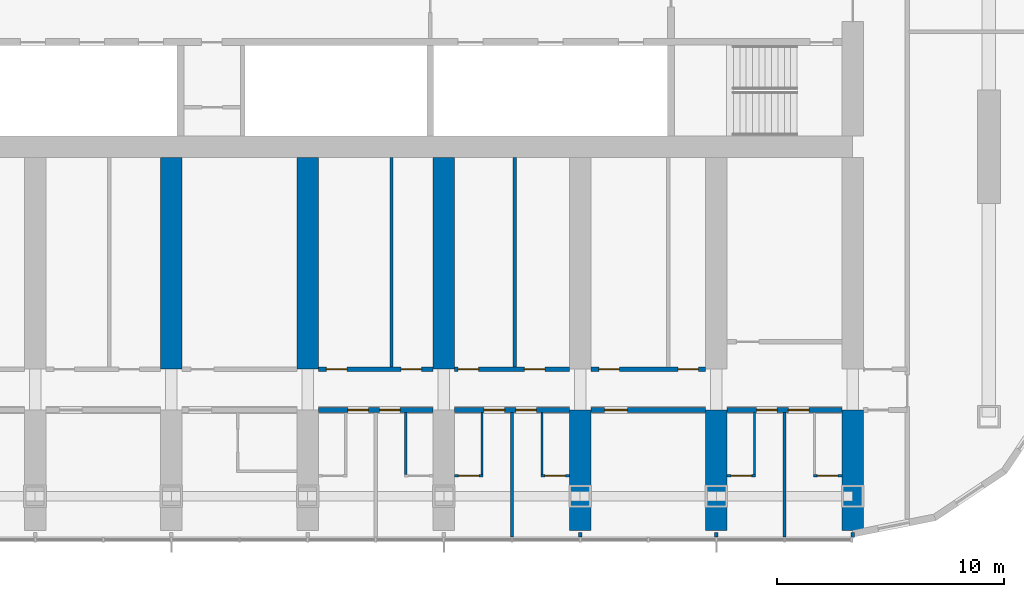
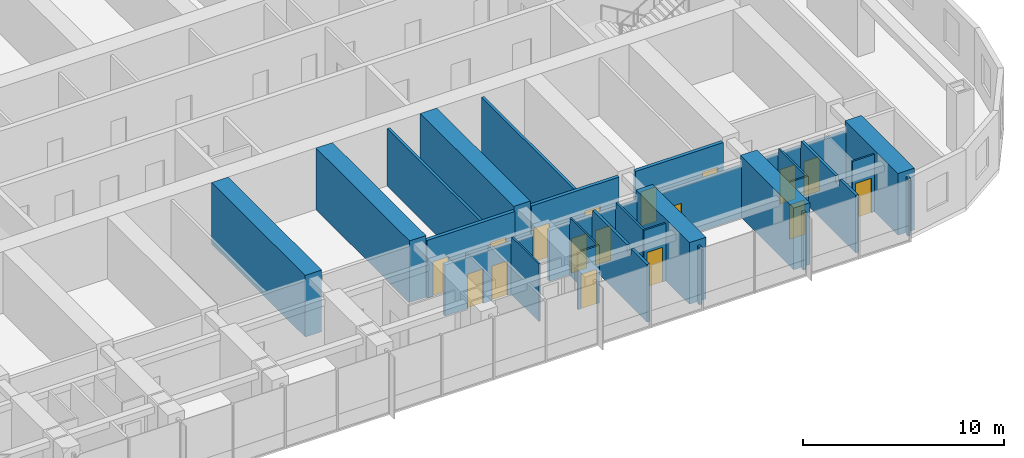
# One storey, part 10 of 21: 28 walls, 17 doors, 17 openings.
"""IFC4 building model written with IfcOpenShell, lengths in metres."""

from ifc_helpers import new_model, si_unit, direction, frame, frame_2d, origin, place, context, subcontext, project, spatial, polyline, rectangle, outline, extrude, material, layer, layer_set, type_object, element, fill, save


model = new_model("IFC4")

# Units and contexts
model_context = context("Model", 3, precision=1e-05, world=origin(), true_north=direction((0.0, 1.0)))
body_context = subcontext(model_context, "Body", "Model", "MODEL_VIEW")
ifc_project = project(units=[si_unit("LENGTHUNIT", "METRE"), si_unit("AREAUNIT", "SQUARE_METRE"), si_unit("VOLUMEUNIT", "CUBIC_METRE"), si_unit("PLANEANGLEUNIT", "RADIAN"), si_unit("MASSUNIT", "GRAM", prefix="KILO")], contexts=[model_context])

# Site, building, storey
site_placement = place(None, origin())
site = spatial("IfcSite", under=ifc_project, at=site_placement, CompositionType="ELEMENT")
building_placement = place(site_placement, origin())
building = spatial("IfcBuilding", under=site, at=building_placement, Name="Orbita Commons", CompositionType="ELEMENT")
storey_placement = place(building_placement, frame((0.0, 0.0, 103.14990234375)))
storey = spatial("IfcBuildingStorey", under=building, at=storey_placement, Name="L25", CompositionType="ELEMENT", Elevation=103.14990234375)

# Wall, openings, doors
ifc_material_1 = material(Name="Concrete blockwork", Category="masonry")
ifc_layer_1 = layer(ifc_material_1, 0.199951171875)
ifc_layer_set_1 = layer_set([ifc_layer_1], Name="Concrete blockwork")
wall_type_1 = type_object("IfcWallType", Name="Corridor wall 200 blockwork", PredefinedType="SOLIDWALL", material=ifc_layer_set_1)
wall_1_placement = place(storey_placement, frame((42.47509765625, 14.199951171875, 0.0), z_axis=(0.0, 0.0, 1.0), x_axis=(1.0, 0.0, 0.0)))
wall_1 = element("IfcWall", 1, at=wall_1_placement, inside=storey, type_object=wall_type_1, Name="Corridor wall 200 blockwork L25", PredefinedType="SOLIDWALL", context=body_context, shape_type="SweptSolid", body=[
    extrude(outline(polyline([(0.0, 0.0), (5.0498046875, 0.0), (5.050048828125, 3.10009765625), (0.0, 3.10009765625), (0.0, 0.0)])), frame((0.0, 0.10009765625, 0.0), z_axis=(0.0, -1.0, 0.0), x_axis=(1.0, 0.0, 0.0)), (0.0, 0.0, 1.0), 0.199951171875),
])
opening_1_placement = place(wall_1_placement, frame((1.300048828125, 0.0, 0.0)))
opening_1 = element("IfcOpeningElement", 2, at=opening_1_placement, cuts=wall_1, Name="Opening D11", PredefinedType="OPENING", context=body_context, shape_type="SweptSolid", body=[
    extrude(rectangle(XDim=0.89990234375, YDim=2.10009765625, at=frame_2d((0.449951171875, 1.050048828125))), frame((0.0, 0.10986328125, 0.0), z_axis=(0.0, -1.0, 0.0), x_axis=(1.0, 0.0, 0.0)), (0.0, 0.0, 1.0), 0.219970703125),
])
opening_2_placement = place(wall_1_placement, frame((2.699951171875, 0.0, 0.0)))
opening_2 = element("IfcOpeningElement", 3, at=opening_2_placement, cuts=wall_1, Name="Opening D11", PredefinedType="OPENING", context=body_context, shape_type="SweptSolid", body=[
    extrude(rectangle(XDim=0.89990234375, YDim=2.10009765625, at=frame_2d((0.449951171875, 1.050048828125))), frame((0.0, 0.10986328125, 0.0), z_axis=(0.0, -1.0, 0.0), x_axis=(1.0, 0.0, 0.0)), (0.0, 0.0, 1.0), 0.219970703125),
])
ifc_material_2 = material(Name="Steel-faced fire door leaf", Category="steel")
door_type_1 = type_object("IfcDoorType", Name="Corridor door 20 min 900x2100", OperationType="SINGLE_SWING_LEFT", PredefinedType="DOOR", material=ifc_material_2)
door_1_placement = place(opening_1_placement, origin())
door_1 = element("IfcDoor", 4, at=door_1_placement, inside=storey, type_object=door_type_1, Name="Cluster bedroom L25-S10 door", OperationType="SINGLE_SWING_LEFT", OverallHeight=2.10009765625, OverallWidth=0.89990234375, PredefinedType="DOOR", context=body_context, shape_type="SweptSolid", body=[
    extrude(rectangle(XDim=0.89990234375, YDim=2.10009765625, at=frame_2d((0.449951171875, 1.050048828125))), frame((0.0, 0.02490234375, 0.0), z_axis=(0.0, -1.0, 0.0), x_axis=(1.0, 0.0, 0.0)), (0.0, 0.0, 1.0), 0.050048828125),
])
fill(opening_1, door_1)
door_2_placement = place(opening_2_placement, origin())
door_2 = element("IfcDoor", 5, at=door_2_placement, inside=storey, type_object=door_type_1, Name="Cluster bedroom L25-S11 door", OperationType="SINGLE_SWING_LEFT", OverallHeight=2.10009765625, OverallWidth=0.89990234375, PredefinedType="DOOR", context=body_context, shape_type="SweptSolid", body=[
    extrude(rectangle(XDim=0.89990234375, YDim=2.10009765625, at=frame_2d((0.449951171875, 1.050048828125))), frame((0.0, 0.02490234375, 0.0), z_axis=(0.0, -1.0, 0.0), x_axis=(1.0, 0.0, 0.0)), (0.0, 0.0, 1.0), 0.050048828125),
])
fill(opening_2, door_2)

wall_2_placement = place(storey_placement, frame((48.47509765625, 14.199951171875, 0.0), z_axis=(0.0, 0.0, 1.0), x_axis=(1.0, 0.0, 0.0)))
wall_2 = element("IfcWall", 6, at=wall_2_placement, inside=storey, type_object=wall_type_1, Name="Corridor wall 200 blockwork L25", PredefinedType="SOLIDWALL", context=body_context, shape_type="SweptSolid", body=[
    extrude(outline(polyline([(0.0, 0.0), (5.0498046875, 0.0), (5.050048828125, 3.10009765625), (0.0, 3.10009765625), (0.0, 0.0)])), frame((0.0, 0.10009765625, 0.0), z_axis=(0.0, -1.0, 0.0), x_axis=(1.0, 0.0, 0.0)), (0.0, 0.0, 1.0), 0.199951171875),
])
opening_3_placement = place(wall_2_placement, frame((1.300048828125, 0.0, 0.0)))
opening_3 = element("IfcOpeningElement", 7, at=opening_3_placement, cuts=wall_2, Name="Opening D11", PredefinedType="OPENING", context=body_context, shape_type="SweptSolid", body=[
    extrude(rectangle(XDim=0.89990234375, YDim=2.10009765625, at=frame_2d((0.449951171875, 1.050048828125))), frame((0.0, 0.10986328125, 0.0), z_axis=(0.0, -1.0, 0.0), x_axis=(1.0, 0.0, 0.0)), (0.0, 0.0, 1.0), 0.219970703125),
])
opening_4_placement = place(wall_2_placement, frame((2.699951171875, 0.0, 0.0)))
opening_4 = element("IfcOpeningElement", 8, at=opening_4_placement, cuts=wall_2, Name="Opening D11", PredefinedType="OPENING", context=body_context, shape_type="SweptSolid", body=[
    extrude(rectangle(XDim=0.89990234375, YDim=2.10009765625, at=frame_2d((0.449951171875, 1.050048828125))), frame((0.0, 0.10986328125, 0.0), z_axis=(0.0, -1.0, 0.0), x_axis=(1.0, 0.0, 0.0)), (0.0, 0.0, 1.0), 0.219970703125),
])
door_3_placement = place(opening_3_placement, origin())
door_3 = element("IfcDoor", 9, at=door_3_placement, inside=storey, type_object=door_type_1, Name="Cluster bedroom L25-S12 door", OperationType="SINGLE_SWING_LEFT", OverallHeight=2.10009765625, OverallWidth=0.89990234375, PredefinedType="DOOR", context=body_context, shape_type="SweptSolid", body=[
    extrude(rectangle(XDim=0.89990234375, YDim=2.10009765625, at=frame_2d((0.449951171875, 1.050048828125))), frame((0.0, 0.02490234375, 0.0), z_axis=(0.0, -1.0, 0.0), x_axis=(1.0, 0.0, 0.0)), (0.0, 0.0, 1.0), 0.050048828125),
])
fill(opening_3, door_3)
door_4_placement = place(opening_4_placement, origin())
door_4 = element("IfcDoor", 10, at=door_4_placement, inside=storey, type_object=door_type_1, Name="Cluster bedroom L25-S13 door", OperationType="SINGLE_SWING_LEFT", OverallHeight=2.10009765625, OverallWidth=0.89990234375, PredefinedType="DOOR", context=body_context, shape_type="SweptSolid", body=[
    extrude(rectangle(XDim=0.89990234375, YDim=2.10009765625, at=frame_2d((0.449951171875, 1.050048828125))), frame((0.0, 0.02490234375, 0.0), z_axis=(0.0, -1.0, 0.0), x_axis=(1.0, 0.0, 0.0)), (0.0, 0.0, 1.0), 0.050048828125),
])
fill(opening_4, door_4)

# Wall, opening, door
wall_3_placement = place(storey_placement, frame((54.47509765625, 14.199951171875, 0.0), z_axis=(0.0, 0.0, 1.0), x_axis=(1.0, 0.0, 0.0)))
wall_3 = element("IfcWall", 11, at=wall_3_placement, inside=storey, type_object=wall_type_1, Name="Corridor wall 200 blockwork L25", PredefinedType="SOLIDWALL", context=body_context, shape_type="SweptSolid", body=[
    extrude(outline(polyline([(0.0, 0.0), (5.0498046875, 0.0), (5.050048828125, 3.10009765625), (0.0, 3.10009765625), (0.0, 0.0)])), frame((0.0, 0.10009765625, 0.0), z_axis=(0.0, -1.0, 0.0), x_axis=(1.0, 0.0, 0.0)), (0.0, 0.0, 1.0), 0.199951171875),
])
opening_5_placement = place(wall_3_placement, frame((0.60009765625, 0.0, 0.0)))
opening_5 = element("IfcOpeningElement", 12, at=opening_5_placement, cuts=wall_3, Name="Opening D06", PredefinedType="OPENING", context=body_context, shape_type="SweptSolid", body=[
    extrude(rectangle(XDim=1.0, YDim=2.10009765625, at=frame_2d((0.5, 1.050048828125))), frame((0.0, 0.10986328125, 0.0), z_axis=(0.0, -1.0, 0.0), x_axis=(1.0, 0.0, 0.0)), (0.0, 0.0, 1.0), 0.219970703125),
])
ifc_material_3 = material(Name="Steel-faced fire door leaf", Category="steel")
door_type_2 = type_object("IfcDoorType", Name="Corridor door 20 min 1000x2100", OperationType="SINGLE_SWING_LEFT", PredefinedType="DOOR", material=ifc_material_3)
door_5_placement = place(opening_5_placement, origin())
door_5 = element("IfcDoor", 13, at=door_5_placement, inside=storey, type_object=door_type_2, Name="Cluster kitchen-diner L25-S14 door", OperationType="SINGLE_SWING_LEFT", OverallHeight=2.10009765625, OverallWidth=1.0, PredefinedType="DOOR", context=body_context, shape_type="SweptSolid", body=[
    extrude(rectangle(XDim=1.0, YDim=2.10009765625, at=frame_2d((0.5, 1.050048828125))), frame((0.0, 0.02490234375, 0.0), z_axis=(0.0, -1.0, 0.0), x_axis=(1.0, 0.0, 0.0)), (0.0, 0.0, 1.0), 0.050048828125),
])
fill(opening_5, door_5)

# Wall, openings, doors
wall_4_placement = place(storey_placement, frame((60.47509765625, 14.199951171875, 0.0), z_axis=(0.0, 0.0, 1.0), x_axis=(1.0, 0.0, 0.0)))
wall_4 = element("IfcWall", 14, at=wall_4_placement, inside=storey, type_object=wall_type_1, Name="Corridor wall 200 blockwork L25", PredefinedType="SOLIDWALL", context=body_context, shape_type="SweptSolid", body=[
    extrude(outline(polyline([(0.0, 0.0), (5.0498046875, 0.0), (5.050048828125, 3.10009765625), (0.0, 3.10009765625), (0.0, 0.0)])), frame((0.0, 0.10009765625, 0.0), z_axis=(0.0, -1.0, 0.0), x_axis=(1.0, 0.0, 0.0)), (0.0, 0.0, 1.0), 0.199951171875),
])
opening_6_placement = place(wall_4_placement, frame((1.300048828125, 0.0, 0.0)))
opening_6 = element("IfcOpeningElement", 15, at=opening_6_placement, cuts=wall_4, Name="Opening D11", PredefinedType="OPENING", context=body_context, shape_type="SweptSolid", body=[
    extrude(rectangle(XDim=0.89990234375, YDim=2.10009765625, at=frame_2d((0.449951171875, 1.050048828125))), frame((0.0, 0.10986328125, 0.0), z_axis=(0.0, -1.0, 0.0), x_axis=(1.0, 0.0, 0.0)), (0.0, 0.0, 1.0), 0.219970703125),
])
opening_7_placement = place(wall_4_placement, frame((2.699951171875, 0.0, 0.0)))
opening_7 = element("IfcOpeningElement", 16, at=opening_7_placement, cuts=wall_4, Name="Opening D11", PredefinedType="OPENING", context=body_context, shape_type="SweptSolid", body=[
    extrude(rectangle(XDim=0.89990234375, YDim=2.10009765625, at=frame_2d((0.449951171875, 1.050048828125))), frame((0.0, 0.10986328125, 0.0), z_axis=(0.0, -1.0, 0.0), x_axis=(1.0, 0.0, 0.0)), (0.0, 0.0, 1.0), 0.219970703125),
])
door_6_placement = place(opening_6_placement, origin())
door_6 = element("IfcDoor", 17, at=door_6_placement, inside=storey, type_object=door_type_1, Name="Cluster bedroom L25-S16 door", OperationType="SINGLE_SWING_LEFT", OverallHeight=2.10009765625, OverallWidth=0.89990234375, PredefinedType="DOOR", context=body_context, shape_type="SweptSolid", body=[
    extrude(rectangle(XDim=0.89990234375, YDim=2.10009765625, at=frame_2d((0.449951171875, 1.050048828125))), frame((0.0, 0.02490234375, 0.0), z_axis=(0.0, -1.0, 0.0), x_axis=(1.0, 0.0, 0.0)), (0.0, 0.0, 1.0), 0.050048828125),
])
fill(opening_6, door_6)
door_7_placement = place(opening_7_placement, origin())
door_7 = element("IfcDoor", 18, at=door_7_placement, inside=storey, type_object=door_type_1, Name="Cluster bedroom L25-S17 door", OperationType="SINGLE_SWING_LEFT", OverallHeight=2.10009765625, OverallWidth=0.89990234375, PredefinedType="DOOR", context=body_context, shape_type="SweptSolid", body=[
    extrude(rectangle(XDim=0.89990234375, YDim=2.10009765625, at=frame_2d((0.449951171875, 1.050048828125))), frame((0.0, 0.02490234375, 0.0), z_axis=(0.0, -1.0, 0.0), x_axis=(1.0, 0.0, 0.0)), (0.0, 0.0, 1.0), 0.050048828125),
])
fill(opening_7, door_7)

ifc_material_4 = material(Name="Hollow concrete block 200", Category="concrete")
ifc_layer_2 = layer(ifc_material_4, 0.199951171875)
ifc_layer_set_2 = layer_set([ifc_layer_2], Name="Hollow concrete block 200")
wall_type_2 = type_object("IfcWallType", Name="Corridor wall 200 hollow concrete block", PredefinedType="SOLIDWALL", material=ifc_layer_set_2)
wall_5_placement = place(storey_placement, frame((42.47509765625, 16.0, 0.0), z_axis=(0.0, 0.0, 1.0), x_axis=(1.0, 0.0, 0.0)))
wall_5 = element("IfcWall", 19, at=wall_5_placement, inside=storey, type_object=wall_type_2, Name="Corridor wall 200 hollow concrete block L25", PredefinedType="SOLIDWALL", context=body_context, shape_type="SweptSolid", body=[
    extrude(rectangle(XDim=5.0498046875, YDim=0.199951171875, at=frame_2d((2.52490234375, 0.0))), origin(), (0.0, 0.0, 1.0), 3.5),
])
opening_8_placement = place(wall_5_placement, frame((0.35009765625, 0.0, 0.0)))
opening_8 = element("IfcOpeningElement", 20, at=opening_8_placement, cuts=wall_5, Name="Opening D11", PredefinedType="OPENING", context=body_context, shape_type="SweptSolid", body=[
    extrude(rectangle(XDim=0.89990234375, YDim=2.10009765625, at=frame_2d((0.449951171875, 1.050048828125))), frame((0.0, 0.10986328125, 0.0), z_axis=(0.0, -1.0, 0.0), x_axis=(1.0, 0.0, 0.0)), (0.0, 0.0, 1.0), 0.219970703125),
])
opening_9_placement = place(wall_5_placement, frame((3.64501953125, 0.0, 0.0)))
opening_9 = element("IfcOpeningElement", 21, at=opening_9_placement, cuts=wall_5, Name="Opening D11", PredefinedType="OPENING", context=body_context, shape_type="SweptSolid", body=[
    extrude(rectangle(XDim=0.89990234375, YDim=2.10009765625, at=frame_2d((0.449951171875, 1.050048828125))), frame((0.0, 0.10986328125, 0.0), z_axis=(0.0, -1.0, 0.0), x_axis=(1.0, 0.0, 0.0)), (0.0, 0.0, 1.0), 0.219970703125),
])
door_8_placement = place(opening_8_placement, origin())
door_8 = element("IfcDoor", 22, at=door_8_placement, inside=storey, type_object=door_type_1, Name="Bicycle repair workshop L25-BDS42 door", OperationType="SINGLE_SWING_LEFT", OverallHeight=2.10009765625, OverallWidth=0.89990234375, PredefinedType="DOOR", context=body_context, shape_type="SweptSolid", body=[
    extrude(rectangle(XDim=0.89990234375, YDim=2.10009765625, at=frame_2d((0.449951171875, 1.050048828125))), frame((0.0, 0.02490234375, 0.0), z_axis=(0.0, -1.0, 0.0), x_axis=(1.0, 0.0, 0.0)), (0.0, 0.0, 1.0), 0.050048828125),
])
fill(opening_8, door_8)
door_9_placement = place(opening_9_placement, origin())
door_9 = element("IfcDoor", 23, at=door_9_placement, inside=storey, type_object=door_type_1, Name="Water heater cupboard L25-BDS42n door", OperationType="SINGLE_SWING_LEFT", OverallHeight=2.10009765625, OverallWidth=0.89990234375, PredefinedType="DOOR", context=body_context, shape_type="SweptSolid", body=[
    extrude(rectangle(XDim=0.89990234375, YDim=2.10009765625, at=frame_2d((0.449951171875, 1.050048828125))), frame((0.0, 0.02490234375, 0.0), z_axis=(0.0, -1.0, 0.0), x_axis=(1.0, 0.0, 0.0)), (0.0, 0.0, 1.0), 0.050048828125),
])
fill(opening_9, door_9)

wall_6_placement = place(storey_placement, frame((48.47509765625, 16.0, 0.0), z_axis=(0.0, 0.0, 1.0), x_axis=(1.0, 0.0, 0.0)))
wall_6 = element("IfcWall", 24, at=wall_6_placement, inside=storey, type_object=wall_type_2, Name="Corridor wall 200 hollow concrete block L25", PredefinedType="SOLIDWALL", context=body_context, shape_type="SweptSolid", body=[
    extrude(rectangle(XDim=5.0498046875, YDim=0.199951171875, at=frame_2d((2.52490234375, 0.0))), origin(), (0.0, 0.0, 1.0), 3.5),
])
opening_10_placement = place(wall_6_placement, frame((0.14990234375, 0.0, 0.0)))
opening_10 = element("IfcOpeningElement", 25, at=opening_10_placement, cuts=wall_6, Name="Opening D11", PredefinedType="OPENING", context=body_context, shape_type="SweptSolid", body=[
    extrude(rectangle(XDim=0.89990234375, YDim=2.10009765625, at=frame_2d((0.449951171875, 1.050048828125))), frame((0.0, 0.10986328125, 0.0), z_axis=(0.0, -1.0, 0.0), x_axis=(1.0, 0.0, 0.0)), (0.0, 0.0, 1.0), 0.219970703125),
])
opening_11_placement = place(wall_6_placement, frame((3.074951171875, 0.0, 0.0)))
opening_11 = element("IfcOpeningElement", 26, at=opening_11_placement, cuts=wall_6, Name="Opening D11", PredefinedType="OPENING", context=body_context, shape_type="SweptSolid", body=[
    extrude(rectangle(XDim=0.89990234375, YDim=2.10009765625, at=frame_2d((0.449951171875, 1.050048828125))), frame((0.0, 0.10986328125, 0.0), z_axis=(0.0, -1.0, 0.0), x_axis=(1.0, 0.0, 0.0)), (0.0, 0.0, 1.0), 0.219970703125),
])
door_10_placement = place(opening_10_placement, origin())
door_10 = element("IfcDoor", 27, at=door_10_placement, inside=storey, type_object=door_type_1, Name="Equipment store L25-BDS48n door", OperationType="SINGLE_SWING_LEFT", OverallHeight=2.10009765625, OverallWidth=0.89990234375, PredefinedType="DOOR", context=body_context, shape_type="SweptSolid", body=[
    extrude(rectangle(XDim=0.89990234375, YDim=2.10009765625, at=frame_2d((0.449951171875, 1.050048828125))), frame((0.0, 0.02490234375, 0.0), z_axis=(0.0, -1.0, 0.0), x_axis=(1.0, 0.0, 0.0)), (0.0, 0.0, 1.0), 0.050048828125),
])
fill(opening_10, door_10)
door_11_placement = place(opening_11_placement, origin())
door_11 = element("IfcDoor", 28, at=door_11_placement, inside=storey, type_object=door_type_1, Name="Meeting room L25-BDS48 door", OperationType="SINGLE_SWING_LEFT", OverallHeight=2.10009765625, OverallWidth=0.89990234375, PredefinedType="DOOR", context=body_context, shape_type="SweptSolid", body=[
    extrude(rectangle(XDim=0.89990234375, YDim=2.10009765625, at=frame_2d((0.449951171875, 1.050048828125))), frame((0.0, 0.02490234375, 0.0), z_axis=(0.0, -1.0, 0.0), x_axis=(1.0, 0.0, 0.0)), (0.0, 0.0, 1.0), 0.050048828125),
])
fill(opening_11, door_11)

wall_7_placement = place(storey_placement, frame((54.47509765625, 16.0, 0.0), z_axis=(0.0, 0.0, 1.0), x_axis=(1.0, 0.0, 0.0)))
wall_7 = element("IfcWall", 29, at=wall_7_placement, inside=storey, type_object=wall_type_2, Name="Corridor wall 200 hollow concrete block L25", PredefinedType="SOLIDWALL", context=body_context, shape_type="SweptSolid", body=[
    extrude(rectangle(XDim=5.0498046875, YDim=0.199951171875, at=frame_2d((2.52490234375, 0.0))), origin(), (0.0, 0.0, 1.0), 3.5),
])
opening_12_placement = place(wall_7_placement, frame((0.35009765625, 0.0, 0.0)))
opening_12 = element("IfcOpeningElement", 30, at=opening_12_placement, cuts=wall_7, Name="Opening D11", PredefinedType="OPENING", context=body_context, shape_type="SweptSolid", body=[
    extrude(rectangle(XDim=0.89990234375, YDim=2.10009765625, at=frame_2d((0.449951171875, 1.050048828125))), frame((0.0, 0.10986328125, 0.0), z_axis=(0.0, -1.0, 0.0), x_axis=(1.0, 0.0, 0.0)), (0.0, 0.0, 1.0), 0.219970703125),
])
opening_13_placement = place(wall_7_placement, frame((3.8349609375, 0.0, 0.0)))
opening_13 = element("IfcOpeningElement", 31, at=opening_13_placement, cuts=wall_7, Name="Opening D11", PredefinedType="OPENING", context=body_context, shape_type="SweptSolid", body=[
    extrude(rectangle(XDim=0.89990234375, YDim=2.10009765625, at=frame_2d((0.449951171875, 1.050048828125))), frame((0.0, 0.10986328125, 0.0), z_axis=(0.0, -1.0, 0.0), x_axis=(1.0, 0.0, 0.0)), (0.0, 0.0, 1.0), 0.219970703125),
])
door_12_placement = place(opening_12_placement, origin())
door_12 = element("IfcDoor", 32, at=door_12_placement, inside=storey, type_object=door_type_1, Name="Bulk and luggage store L25-BDS54 door", OperationType="SINGLE_SWING_LEFT", OverallHeight=2.10009765625, OverallWidth=0.89990234375, PredefinedType="DOOR", context=body_context, shape_type="SweptSolid", body=[
    extrude(rectangle(XDim=0.89990234375, YDim=2.10009765625, at=frame_2d((0.449951171875, 1.050048828125))), frame((0.0, 0.02490234375, 0.0), z_axis=(0.0, -1.0, 0.0), x_axis=(1.0, 0.0, 0.0)), (0.0, 0.0, 1.0), 0.050048828125),
])
fill(opening_12, door_12)
door_13_placement = place(opening_13_placement, origin())
door_13 = element("IfcDoor", 33, at=door_13_placement, inside=storey, type_object=door_type_1, Name="Battery and UPS room L25-BDS54n door", OperationType="SINGLE_SWING_LEFT", OverallHeight=2.10009765625, OverallWidth=0.89990234375, PredefinedType="DOOR", context=body_context, shape_type="SweptSolid", body=[
    extrude(rectangle(XDim=0.89990234375, YDim=2.10009765625, at=frame_2d((0.449951171875, 1.050048828125))), frame((0.0, 0.02490234375, 0.0), z_axis=(0.0, -1.0, 0.0), x_axis=(1.0, 0.0, 0.0)), (0.0, 0.0, 1.0), 0.050048828125),
])
fill(opening_13, door_13)

# Walls
ifc_material_5 = material(Name="Concrete C50/60", Category="concrete")
ifc_layer_3 = layer(ifc_material_5, 0.949951171875)
ifc_layer_set_3 = layer_set([ifc_layer_3], Name="Concrete C50/60")
wall_type_3 = type_object("IfcWallType", Name="Cross wall 950 C50/60", PredefinedType="SHEAR", material=ifc_layer_set_3)
for number, where, z_axis, x_axis, name in (
    (34, (36.0, 16.0, 0.0), (0.0, 0.0, 1.0), (0.0, 1.0, 0.0), "Cross wall 7 south inner L25"),
    (35, (42.0, 16.0, 0.0), (0.0, 0.0, 1.0), (0.0, 1.0, 0.0), "Cross wall 8 south inner L25"),
    (36, (48.0, 16.0, 0.0), (0.0, 0.0, 1.0), (0.0, 1.0, 0.0), "Cross wall 9 south inner L25"),
):
    element("IfcWall", number, at=place(storey_placement, frame(where, z_axis=z_axis, x_axis=x_axis)), inside=storey, type_object=wall_type_3, Name=name, PredefinedType="SHEAR", context=body_context, shape_type="SweptSolid", body=[
        extrude(rectangle(XDim=9.324951171875, YDim=0.949951171875, at=frame_2d((4.66259765625, 0.0))), origin(), (0.0, 0.0, 1.0), 3.75),
    ])
for number, where, z_axis, x_axis, name in (
    (37, (54.0, 8.89990234375, 0.0), (0.0, 0.0, 1.0), (0.0, 1.0, 0.0), "Cross wall 10 south outer L25"),
    (38, (60.0, 8.89990234375, 0.0), (0.0, 0.0, 1.0), (0.0, 1.0, 0.0), "Cross wall 11 south outer L25"),
    (39, (66.0, 8.89990234375, 0.0), (0.0, 0.0, 1.0), (0.0, 1.0, 0.0), "Cross wall 12 south outer L25"),
):
    element("IfcWall", number, at=place(storey_placement, frame(where, z_axis=z_axis, x_axis=x_axis)), inside=storey, type_object=wall_type_3, Name=name, PredefinedType="SHEAR", context=body_context, shape_type="SweptSolid", body=[
        extrude(rectangle(XDim=5.300048828125, YDim=0.949951171875, at=frame_2d((2.64990234375, 0.0))), origin(), (0.0, 0.0, 1.0), 3.75),
    ])
ifc_material_6 = material(Name="Moisture-resistant plasterboard on steel studs", Category="steel")
ifc_layer_4 = layer(ifc_material_6, 0.10009765625)
ifc_layer_set_4 = layer_set([ifc_layer_4], Name="Moisture-resistant plasterboard on steel studs")
wall_type_4 = type_object("IfcWallType", Name="En-suite partition 100", PredefinedType="PARTITIONING", material=ifc_layer_set_4)
wall_8_placement = place(storey_placement, frame((46.324951171875, 11.35009765625, 0.0), z_axis=(0.0, 0.0, 1.0), x_axis=(0.0, 1.0, 0.0)))
element("IfcWall", 40, at=wall_8_placement, inside=storey, type_object=wall_type_4, Name="En-suite partition 100 L25", PredefinedType="PARTITIONING", context=body_context, shape_type="SweptSolid", body=[
    extrude(outline(polyline([(0.0, 0.0), (2.75, 0.0), (2.75, 3.10009765625), (2.701904296875, 3.10009765625), (2.699951171875, 3.5), (0.0, 3.5), (0.0, 0.0)])), frame((0.0, 0.050048828125, 0.0), z_axis=(0.0, -1.0, 0.0), x_axis=(1.0, 0.0, 0.0)), (0.0, 0.0, 1.0), 0.10009765625),
])

# Wall, opening, door
wall_9_placement = place(storey_placement, frame((49.72509765625, 11.300048828125, 0.0), z_axis=(0.0, 0.0, 1.0), x_axis=(-1.0, 0.0, 0.0)))
wall_9 = element("IfcWall", 41, at=wall_9_placement, inside=storey, type_object=wall_type_4, Name="En-suite partition 100 L25", PredefinedType="PARTITIONING", context=body_context, shape_type="SweptSolid", body=[
    extrude(rectangle(XDim=1.25, YDim=0.10009765625, at=frame_2d((0.625, 0.0))), origin(), (0.0, 0.0, 1.0), 3.5),
])
opening_14_placement = place(wall_9_placement, frame((0.175048828125, 0.0, 0.0)))
opening_14 = element("IfcOpeningElement", 42, at=opening_14_placement, cuts=wall_9, Name="Opening D09", PredefinedType="OPENING", context=body_context, shape_type="SweptSolid", body=[
    extrude(rectangle(XDim=0.89990234375, YDim=2.10009765625, at=frame_2d((0.449951171875, 1.050048828125))), frame((0.0, 0.06005859375, 0.0), z_axis=(0.0, -1.0, 0.0), x_axis=(1.0, 0.0, 0.0)), (0.0, 0.0, 1.0), 0.1201171875),
])
ifc_material_7 = material(Name="Laminated timber door leaf", Category="wood")
door_type_3 = type_object("IfcDoorType", Name="En-suite door 900x2100", OperationType="SINGLE_SWING_RIGHT", PredefinedType="DOOR", material=ifc_material_7)
door_14_placement = place(opening_14_placement, origin())
door_14 = element("IfcDoor", 43, at=door_14_placement, inside=storey, type_object=door_type_3, Name="En-suite L25-S12 door", OperationType="SINGLE_SWING_RIGHT", OverallHeight=2.10009765625, OverallWidth=0.89990234375, PredefinedType="DOOR", context=body_context, shape_type="SweptSolid", body=[
    extrude(rectangle(XDim=0.89990234375, YDim=2.10009765625, at=frame_2d((0.449951171875, 1.050048828125))), frame((0.0, 0.02490234375, 0.0), z_axis=(0.0, -1.0, 0.0), x_axis=(1.0, 0.0, 0.0)), (0.0, 0.0, 1.0), 0.050048828125),
])
fill(opening_14, door_14)

# Wall
wall_10_placement = place(storey_placement, frame((49.675048828125, 11.35009765625, 0.0), z_axis=(0.0, 0.0, 1.0), x_axis=(0.0, 1.0, 0.0)))
element("IfcWall", 44, at=wall_10_placement, inside=storey, type_object=wall_type_4, Name="En-suite partition 100 L25", PredefinedType="PARTITIONING", context=body_context, shape_type="SweptSolid", body=[
    extrude(outline(polyline([(0.0, 0.0), (2.75, 0.0), (2.75, 3.10009765625), (2.701904296875, 3.10009765625), (2.699951171875, 3.5), (0.0, 3.5), (0.0, 0.0)])), frame((0.0, 0.050048828125, 0.0), z_axis=(0.0, -1.0, 0.0), x_axis=(1.0, 0.0, 0.0)), (0.0, 0.0, 1.0), 0.10009765625),
])

# Wall, opening, door
wall_11_placement = place(storey_placement, frame((53.52490234375, 11.300048828125, 0.0), z_axis=(0.0, 0.0, 1.0), x_axis=(-1.0, 0.0, 0.0)))
wall_11 = element("IfcWall", 45, at=wall_11_placement, inside=storey, type_object=wall_type_4, Name="En-suite partition 100 L25", PredefinedType="PARTITIONING", context=body_context, shape_type="SweptSolid", body=[
    extrude(rectangle(XDim=1.25, YDim=0.10009765625, at=frame_2d((0.625, 0.0))), origin(), (0.0, 0.0, 1.0), 3.5),
])
opening_15_placement = place(wall_11_placement, frame((0.175048828125, 0.0, 0.0)))
opening_15 = element("IfcOpeningElement", 46, at=opening_15_placement, cuts=wall_11, Name="Opening D09", PredefinedType="OPENING", context=body_context, shape_type="SweptSolid", body=[
    extrude(rectangle(XDim=0.89990234375, YDim=2.10009765625, at=frame_2d((0.449951171875, 1.050048828125))), frame((0.0, 0.06005859375, 0.0), z_axis=(0.0, -1.0, 0.0), x_axis=(1.0, 0.0, 0.0)), (0.0, 0.0, 1.0), 0.1201171875),
])
door_15_placement = place(opening_15_placement, origin())
door_15 = element("IfcDoor", 47, at=door_15_placement, inside=storey, type_object=door_type_3, Name="En-suite L25-S13 door", OperationType="SINGLE_SWING_RIGHT", OverallHeight=2.10009765625, OverallWidth=0.89990234375, PredefinedType="DOOR", context=body_context, shape_type="SweptSolid", body=[
    extrude(rectangle(XDim=0.89990234375, YDim=2.10009765625, at=frame_2d((0.449951171875, 1.050048828125))), frame((0.0, 0.02490234375, 0.0), z_axis=(0.0, -1.0, 0.0), x_axis=(1.0, 0.0, 0.0)), (0.0, 0.0, 1.0), 0.050048828125),
])
fill(opening_15, door_15)

# Wall
wall_12_placement = place(storey_placement, frame((52.324951171875, 11.35009765625, 0.0), z_axis=(0.0, 0.0, 1.0), x_axis=(0.0, 1.0, 0.0)))
element("IfcWall", 48, at=wall_12_placement, inside=storey, type_object=wall_type_4, Name="En-suite partition 100 L25", PredefinedType="PARTITIONING", context=body_context, shape_type="SweptSolid", body=[
    extrude(outline(polyline([(0.0, 0.0), (2.75, 0.0), (2.75, 3.10009765625), (2.701904296875, 3.10009765625), (2.699951171875, 3.5), (0.0, 3.5), (0.0, 0.0)])), frame((0.0, 0.050048828125, 0.0), z_axis=(0.0, -1.0, 0.0), x_axis=(1.0, 0.0, 0.0)), (0.0, 0.0, 1.0), 0.10009765625),
])

# Wall, opening, door
wall_13_placement = place(storey_placement, frame((61.72509765625, 11.300048828125, 0.0), z_axis=(0.0, 0.0, 1.0), x_axis=(-1.0, 0.0, 0.0)))
wall_13 = element("IfcWall", 49, at=wall_13_placement, inside=storey, type_object=wall_type_4, Name="En-suite partition 100 L25", PredefinedType="PARTITIONING", context=body_context, shape_type="SweptSolid", body=[
    extrude(rectangle(XDim=1.25, YDim=0.10009765625, at=frame_2d((0.625, 0.0))), origin(), (0.0, 0.0, 1.0), 3.5),
])
opening_16_placement = place(wall_13_placement, frame((0.175048828125, 0.0, 0.0)))
opening_16 = element("IfcOpeningElement", 50, at=opening_16_placement, cuts=wall_13, Name="Opening D09", PredefinedType="OPENING", context=body_context, shape_type="SweptSolid", body=[
    extrude(rectangle(XDim=0.89990234375, YDim=2.10009765625, at=frame_2d((0.449951171875, 1.050048828125))), frame((0.0, 0.06005859375, 0.0), z_axis=(0.0, -1.0, 0.0), x_axis=(1.0, 0.0, 0.0)), (0.0, 0.0, 1.0), 0.1201171875),
])
door_16_placement = place(opening_16_placement, origin())
door_16 = element("IfcDoor", 51, at=door_16_placement, inside=storey, type_object=door_type_3, Name="En-suite L25-S16 door", OperationType="SINGLE_SWING_RIGHT", OverallHeight=2.10009765625, OverallWidth=0.89990234375, PredefinedType="DOOR", context=body_context, shape_type="SweptSolid", body=[
    extrude(rectangle(XDim=0.89990234375, YDim=2.10009765625, at=frame_2d((0.449951171875, 1.050048828125))), frame((0.0, 0.02490234375, 0.0), z_axis=(0.0, -1.0, 0.0), x_axis=(1.0, 0.0, 0.0)), (0.0, 0.0, 1.0), 0.050048828125),
])
fill(opening_16, door_16)

# Wall
wall_14_placement = place(storey_placement, frame((61.675048828125, 11.35009765625, 0.0), z_axis=(0.0, 0.0, 1.0), x_axis=(0.0, 1.0, 0.0)))
element("IfcWall", 52, at=wall_14_placement, inside=storey, type_object=wall_type_4, Name="En-suite partition 100 L25", PredefinedType="PARTITIONING", context=body_context, shape_type="SweptSolid", body=[
    extrude(outline(polyline([(0.0, 0.0), (2.75, 0.0), (2.75, 3.10009765625), (2.701904296875, 3.10009765625), (2.699951171875, 3.5), (0.0, 3.5), (0.0, 0.0)])), frame((0.0, 0.050048828125, 0.0), z_axis=(0.0, -1.0, 0.0), x_axis=(1.0, 0.0, 0.0)), (0.0, 0.0, 1.0), 0.10009765625),
])

# Wall, opening, door
wall_15_placement = place(storey_placement, frame((65.52490234375, 11.300048828125, 0.0), z_axis=(0.0, 0.0, 1.0), x_axis=(-1.0, 0.0, 0.0)))
wall_15 = element("IfcWall", 53, at=wall_15_placement, inside=storey, type_object=wall_type_4, Name="En-suite partition 100 L25", PredefinedType="PARTITIONING", context=body_context, shape_type="SweptSolid", body=[
    extrude(rectangle(XDim=1.25, YDim=0.10009765625, at=frame_2d((0.625, 0.0))), origin(), (0.0, 0.0, 1.0), 3.5),
])
opening_17_placement = place(wall_15_placement, frame((0.175048828125, 0.0, 0.0)))
opening_17 = element("IfcOpeningElement", 54, at=opening_17_placement, cuts=wall_15, Name="Opening D09", PredefinedType="OPENING", context=body_context, shape_type="SweptSolid", body=[
    extrude(rectangle(XDim=0.89990234375, YDim=2.10009765625, at=frame_2d((0.449951171875, 1.050048828125))), frame((0.0, 0.06005859375, 0.0), z_axis=(0.0, -1.0, 0.0), x_axis=(1.0, 0.0, 0.0)), (0.0, 0.0, 1.0), 0.1201171875),
])
door_17_placement = place(opening_17_placement, origin())
door_17 = element("IfcDoor", 55, at=door_17_placement, inside=storey, type_object=door_type_3, Name="En-suite L25-S17 door", OperationType="SINGLE_SWING_RIGHT", OverallHeight=2.10009765625, OverallWidth=0.89990234375, PredefinedType="DOOR", context=body_context, shape_type="SweptSolid", body=[
    extrude(rectangle(XDim=0.89990234375, YDim=2.10009765625, at=frame_2d((0.449951171875, 1.050048828125))), frame((0.0, 0.02490234375, 0.0), z_axis=(0.0, -1.0, 0.0), x_axis=(1.0, 0.0, 0.0)), (0.0, 0.0, 1.0), 0.050048828125),
])
fill(opening_17, door_17)

# Walls
ifc_material_8 = material(Name="Gypsum plasterboard on steel studs", Category="steel")
ifc_layer_5 = layer(ifc_material_8, 0.14990234375)
ifc_layer_set_5 = layer_set([ifc_layer_5], Name="Gypsum plasterboard on steel studs")
wall_type_5 = type_object("IfcWallType", Name="Partition 150 plasterboard", PredefinedType="PARTITIONING", material=ifc_layer_set_5)
for number, where, z_axis, x_axis, name in (
    (56, (45.695068359375, 16.10009765625, 0.0), (0.0, 0.0, 1.0), (0.0, 1.0, 0.0), "Partition 150 plasterboard L25"),
    (57, (51.125, 16.10009765625, 0.0), (0.0, 0.0, 1.0), (0.0, 1.0, 0.0), "Partition 150 plasterboard L25"),
):
    element("IfcWall", number, at=place(storey_placement, frame(where, z_axis=z_axis, x_axis=x_axis)), inside=storey, type_object=wall_type_5, Name=name, PredefinedType="PARTITIONING", context=body_context, shape_type="SweptSolid", body=[
        extrude(rectangle(XDim=9.224853515625, YDim=0.14990234375, at=frame_2d((4.6123046875, 0.0))), origin(), (0.0, 0.0, 1.0), 3.5),
    ])
for number, where, z_axis, x_axis, name in (
    (58, (54.0, 8.800048828125, 0.0), (0.0, 0.0, 1.0), (0.0, -1.0, 0.0), "Partition 150 plasterboard L25"),
    (59, (60.0, 8.800048828125, 0.0), (0.0, 0.0, 1.0), (0.0, -1.0, 0.0), "Partition 150 plasterboard L25"),
):
    element("IfcWall", number, at=place(storey_placement, frame(where, z_axis=z_axis, x_axis=x_axis)), inside=storey, type_object=wall_type_5, Name=name, PredefinedType="PARTITIONING", context=body_context, shape_type="SweptSolid", body=[
        extrude(rectangle(XDim=0.18994140625, YDim=0.14990234375, at=frame_2d((0.094970703125, 0.0))), origin(), (0.0, 0.0, 1.0), 3.5),
    ])
wall_16_placement = place(storey_placement, frame((66.0, 8.800048828125, 0.0), z_axis=(0.0, 0.0, 1.0), x_axis=(0.0, -1.0, 0.0)))
element("IfcWall", 60, at=wall_16_placement, inside=storey, type_object=wall_type_5, Name="Partition 150 plasterboard L25", PredefinedType="PARTITIONING", context=body_context, shape_type="SweptSolid", body=[
    extrude(rectangle(XDim=0.219970703125, YDim=0.14990234375, at=frame_2d((0.10986328125, 0.0))), origin(), (0.0, 0.0, 1.0), 3.5),
])
ifc_material_9 = material(Name="Gypsum plasterboard on steel studs", Category="steel")
ifc_layer_6 = layer(ifc_material_9, 0.14990234375)
ifc_layer_set_6 = layer_set([ifc_layer_6], Name="Gypsum plasterboard on steel studs")
wall_type_6 = type_object("IfcWallType", Name="Party wall 150 plasterboard", PredefinedType="PARTITIONING", material=ifc_layer_set_6)
for number, where, z_axis, x_axis, name in (
    (61, (51.0, 8.610107421875, 0.0), (0.0, 0.0, 1.0), (0.0, 1.0, 0.0), "Party wall 150 plasterboard L25"),
    (62, (63.0, 8.610107421875, 0.0), (0.0, 0.0, 1.0), (0.0, 1.0, 0.0), "Party wall 150 plasterboard L25"),
):
    element("IfcWall", number, at=place(storey_placement, frame(where, z_axis=z_axis, x_axis=x_axis)), inside=storey, type_object=wall_type_6, Name=name, PredefinedType="PARTITIONING", context=body_context, shape_type="SweptSolid", body=[
        extrude(outline(polyline([(0.0, 0.0), (5.489990234375, 0.0), (5.489990234375, 3.10009765625), (5.44189453125, 3.10009765625), (5.43994140625, 3.5), (1.991943359375, 3.5), (1.989990234375, 3.10009765625), (1.592041015625, 3.10009765625), (1.590087890625, 3.5), (0.0, 3.5), (0.0, 0.0)])), frame((0.0, 0.074951171875, 0.0), z_axis=(0.0, -1.0, 0.0), x_axis=(1.0, 0.0, 0.0)), (0.0, 0.0, 1.0), 0.14990234375),
    ])

save(model, "model.ifc")
